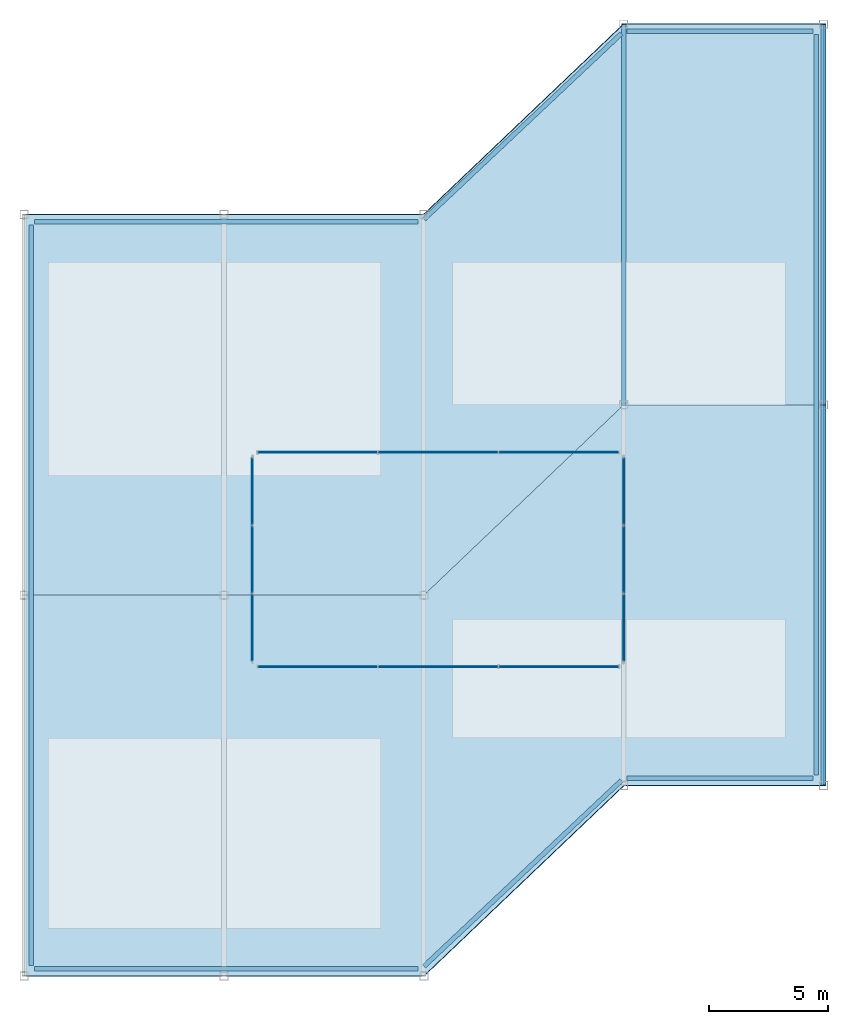
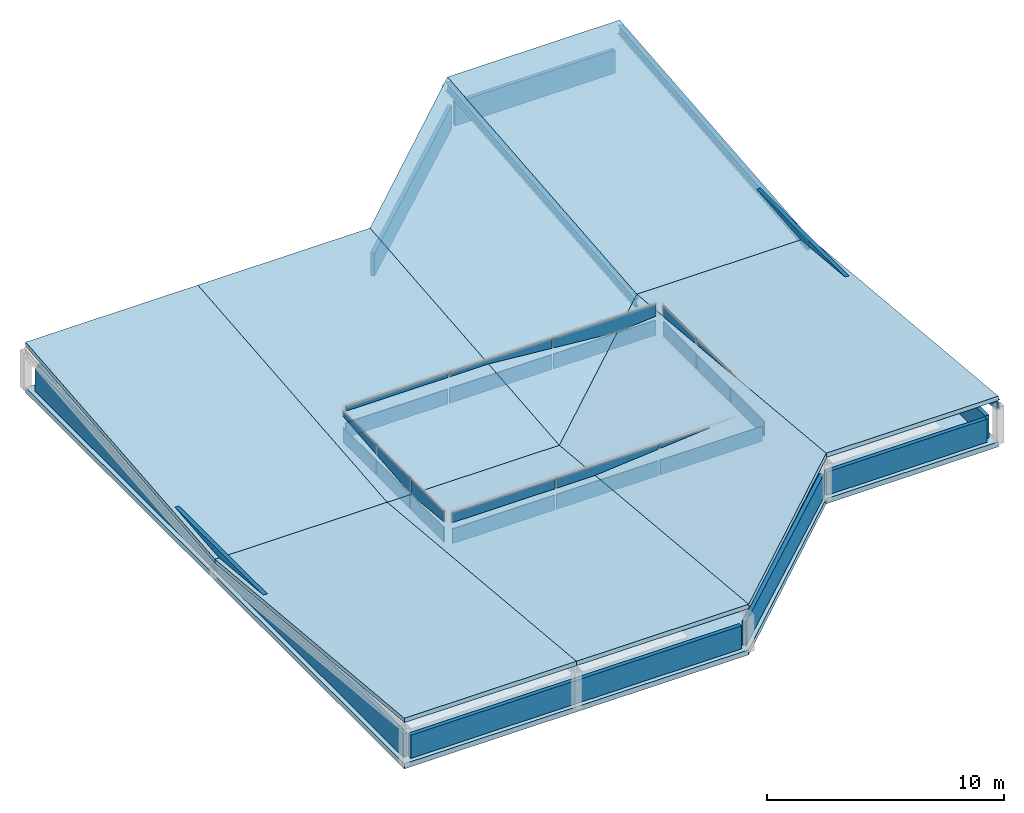
# One storey, part 4 of 5: 24 plates, 8 roofs, 8 walls, 3 members, 1 slab, 4 elements without a shape of their own.
"""IFC4 building model written with IfcOpenShell, lengths in metres."""

import ifcopenshell
import ifcopenshell.guid

model = None  # the IFC model being written
_history = None  # IfcOwnerHistory: only IFC2X3 demands one
_inside = {}  # id of a spatial element -> (the spatial element, [elements in it])
_under = {}  # id of a project, library or spatial element -> (it, [spatial elements below it])
_declared = {}  # id of a project -> (the project, [libraries it declares])
_typed = {}  # id of a type object -> (the type object, [elements of that type])
_made_of = {}  # id of a material, layer set ... -> (it, [elements and type objects made of it])


def new_model(schema):
    """Start an empty IFC model of exactly this schema.

    Asked for "IFC4X3", IfcOpenShell would pick the latest addendum, in which some entities
    have other attributes; the version numbers below select the first issue.
    IFC2X3 requires an IfcOwnerHistory on every rooted entity: one is made here for all.
    """
    global model, _history
    if schema == "IFC4X3":
        model = ifcopenshell.file(schema_version=(4, 3, 0, 0))
    else:
        model = ifcopenshell.file(schema=schema)
    _inside.clear()
    _under.clear()
    _declared.clear()
    _typed.clear()
    _made_of.clear()
    _history = None
    if model.schema == "IFC2X3":
        org = make("IfcOrganization", Name="unknown")
        user = make(
            "IfcPersonAndOrganization",
            ThePerson=make("IfcPerson", FamilyName="unknown"),
            TheOrganization=org,
        )
        app = make(
            "IfcApplication",
            ApplicationDeveloper=org,
            Version="unknown",
            ApplicationFullName="unknown",
            ApplicationIdentifier="unknown",
        )
        _history = make(
            "IfcOwnerHistory",
            OwningUser=user,
            OwningApplication=app,
            ChangeAction="ADDED",
            CreationDate=0,
        )
    return model


def make(cls, **values):
    """One entity of the class cls with the attributes given. An attribute that is None is left unset."""
    return model.create_entity(
        cls, **{name: value for name, value in values.items() if value is not None}
    )


def rooted(cls, **values):
    """An entity with a GlobalId (a new one), such as an element, a storey or a relation."""
    return make(cls, GlobalId=ifcopenshell.guid.new(), OwnerHistory=_history, **values)


def si_unit(unit_type, name, prefix=None):
    """IfcSIUnit, for example si_unit("LENGTHUNIT", "METRE", prefix="MILLI")."""
    return make("IfcSIUnit", UnitType=unit_type, Prefix=prefix, Name=name)


def assignment(units):
    """IfcUnitAssignment: the units of a project."""
    return None if units is None else make("IfcUnitAssignment", Units=units)


def point(xyz):
    """IfcCartesianPoint."""
    return None if xyz is None else make("IfcCartesianPoint", Coordinates=xyz)


def direction(xyz):
    """IfcDirection."""
    return None if xyz is None else make("IfcDirection", DirectionRatios=xyz)


def frame(location, z_axis=None, x_axis=None):
    """IfcAxis2Placement3D, a coordinate frame: its origin and axes. An axis left out is left unset."""
    return make(
        "IfcAxis2Placement3D",
        Location=point(location),
        Axis=direction(z_axis),
        RefDirection=direction(x_axis),
    )


def frame_2d(location, x_axis=None):
    """IfcAxis2Placement2D, a coordinate frame in the plane: its origin and x axis."""
    return make(
        "IfcAxis2Placement2D", Location=point(location), RefDirection=direction(x_axis)
    )


def origin():
    """The frame at (0, 0, 0) with its axes left unset."""
    return frame((0.0, 0.0, 0.0))


def origin_2d():
    """The frame at (0, 0) in the plane with its x axis left unset."""
    return frame_2d((0.0, 0.0))


def place(relative_to, where):
    """IfcLocalPlacement: puts the frame where relative to a parent placement (None: the world)."""
    return make(
        "IfcLocalPlacement", PlacementRelTo=relative_to, RelativePlacement=where
    )


def context(
    kind, dimensions, precision=None, world=None, true_north=None, identifier=None
):
    """IfcGeometricRepresentationContext, for example the 3D "Model" context."""
    return make(
        "IfcGeometricRepresentationContext",
        ContextIdentifier=identifier,
        ContextType=kind,
        CoordinateSpaceDimension=dimensions,
        Precision=precision,
        WorldCoordinateSystem=world,
        TrueNorth=true_north,
    )


def subcontext(parent, identifier, kind, view, scale=None):
    """IfcGeometricRepresentationSubContext, for example "Body" below "Model"."""
    return make(
        "IfcGeometricRepresentationSubContext",
        ContextIdentifier=identifier,
        ContextType=kind,
        ParentContext=parent,
        TargetScale=scale,
        TargetView=view,
    )


def project(units=None, contexts=None):
    """IfcProject with its units and contexts."""
    return rooted(
        "IfcProject",
        Name="project",
        RepresentationContexts=contexts,
        UnitsInContext=assignment(units),
    )


def spatial(cls, under=None, at=None, **own):
    """A site, building, storey or space (cls), placed at a placement, below another one or the project."""
    s = rooted(cls, ObjectPlacement=at, **own)
    if under is not None:
        _under.setdefault(under.id(), (under, []))[1].append(s)
    return s


def polyline(points):
    """IfcPolyline through the points."""
    return make("IfcPolyline", Points=[point(p) for p in points])


def profile(cls, at=None, kind="AREA", **sizes):
    """A parametric profile (cls). Its sizes go by their IFC names, for example OverallWidth=200.0."""
    return make(cls, ProfileType=kind, Position=at, **sizes)


def rectangle(**sizes):
    """IfcRectangleProfileDef."""
    return profile("IfcRectangleProfileDef", **sizes)


def i_section(**sizes):
    """IfcIShapeProfileDef."""
    return profile("IfcIShapeProfileDef", **sizes)


def outline(outer, holes=None, kind="AREA"):
    """IfcArbitraryClosedProfileDef: a profile drawn as a closed curve; with holes, ...WithVoids."""
    if holes is None:
        return make("IfcArbitraryClosedProfileDef", ProfileType=kind, OuterCurve=outer)
    return make(
        "IfcArbitraryProfileDefWithVoids",
        ProfileType=kind,
        OuterCurve=outer,
        InnerCurves=holes,
    )


def extrude(swept, where, along, depth):
    """IfcExtrudedAreaSolid: the profile swept, set in the frame where, extruded along a direction by depth."""
    return make(
        "IfcExtrudedAreaSolid",
        SweptArea=swept,
        Position=where,
        ExtrudedDirection=direction(along),
        Depth=depth,
    )


def shape(context_of_items, identifier, shape_type, items):
    """IfcShapeRepresentation: the items that make up one representation, for example the "Body"."""
    return make(
        "IfcShapeRepresentation",
        ContextOfItems=context_of_items,
        RepresentationIdentifier=identifier,
        RepresentationType=shape_type,
        Items=items,
    )


def material(Name=None, Category=None):
    """IfcMaterial."""
    return make("IfcMaterial", Name=Name, Category=Category)


def layer(
    of_material, thickness, ventilated=None, Name=None, Category=None, Priority=None
):
    """IfcMaterialLayer: one layer of a wall or slab, of a material (None: an air gap)."""
    return make(
        "IfcMaterialLayer",
        Material=of_material,
        LayerThickness=thickness,
        IsVentilated=ventilated,
        Name=Name,
        Category=Category,
        Priority=Priority,
    )


def layer_set(layers, Name=None):
    """IfcMaterialLayerSet."""
    return make("IfcMaterialLayerSet", MaterialLayers=layers, LayerSetName=Name)


def material_profile(
    of_material, cross_section, Name=None, Category=None, Priority=None
):
    """IfcMaterialProfile: a cross section and its material."""
    return make(
        "IfcMaterialProfile",
        Name=Name,
        Material=of_material,
        Profile=cross_section,
        Priority=Priority,
        Category=Category,
    )


def profile_set(profiles, Name=None, composite=None):
    """IfcMaterialProfileSet."""
    return make(
        "IfcMaterialProfileSet",
        Name=Name,
        MaterialProfiles=profiles,
        CompositeProfile=composite,
    )


def made_of(thing, what):
    """Note that an element or type object is made of a material, layer set ...; save() writes the relation."""
    if what is not None:
        _made_of.setdefault(what.id(), (what, []))[1].append(thing)
    return thing


def type_object(cls, material=None, **own):
    """A type object (cls), such as IfcWallType, which elements share."""
    return made_of(rooted(cls, **own), material)


def element(
    cls,
    number,
    at=None,
    inside=None,
    cuts=None,
    type_object=None,
    material=None,
    context=None,
    identifier="Body",
    shape_type=None,
    held_by="IfcProductDefinitionShape",
    body=None,
    shapes=None,
    **own,
):
    """One element of the class cls, such as IfcWall. Its Tag is "e" and its number.

    at: its placement. inside: the storey or other place that contains it. cuts: it is an
    opening in that element (IfcRelVoidsElement). A single representation is given by context,
    identifier, shape_type and body (its items); several are given by shapes. held_by: the class
    of the entity that holds the representations. save() writes the other relations.
    """
    e = rooted(cls, Tag="e%d" % number, ObjectPlacement=at, **own)
    if body is not None:
        shapes = [shape(context, identifier, shape_type, body)]
    if shapes is not None:
        e.Representation = make(held_by, Representations=shapes)
    if inside is not None:
        _inside.setdefault(inside.id(), (inside, []))[1].append(e)
    if cuts is not None:
        rooted(
            "IfcRelVoidsElement", RelatingBuildingElement=cuts, RelatedOpeningElement=e
        )
    if type_object is not None:
        _typed.setdefault(type_object.id(), (type_object, []))[1].append(e)
    return made_of(e, material)


def aggregate(whole, parts):
    """IfcRelAggregates: a whole, such as a stair, and the parts it consists of."""
    return rooted("IfcRelAggregates", RelatingObject=whole, RelatedObjects=parts)


def save(model, path):
    """Write the relations noted so far, then the file.

    IfcRelAggregates (storeys below a building ...), IfcRelContainedInSpatialStructure (elements
    in a storey), IfcRelDefinesByType, IfcRelAssociatesMaterial and IfcRelDeclares: one each for
    every whole, place, type object, material and project.
    """
    for whole, parts in _under.values():
        aggregate(whole, parts)
    for where, things in _inside.values():
        rooted(
            "IfcRelContainedInSpatialStructure",
            RelatedElements=things,
            RelatingStructure=where,
        )
    for kind, things in _typed.values():
        rooted("IfcRelDefinesByType", RelatedObjects=things, RelatingType=kind)
    for what, things in _made_of.values():
        rooted("IfcRelAssociatesMaterial", RelatedObjects=things, RelatingMaterial=what)
    for by, libraries in _declared.values():
        rooted("IfcRelDeclares", RelatingContext=by, RelatedDefinitions=libraries)
    model.write(path)


model = new_model("IFC4")

# Units and contexts
model_context = context("Model", 3, precision=1e-05, world=origin(), true_north=direction((0.0, 1.0)))
body_context = subcontext(model_context, "Body", "Model", "MODEL_VIEW")
ifc_project = project(units=[si_unit("LENGTHUNIT", "METRE"), si_unit("AREAUNIT", "SQUARE_METRE"), si_unit("VOLUMEUNIT", "CUBIC_METRE"), si_unit("PLANEANGLEUNIT", "RADIAN"), si_unit("MASSUNIT", "GRAM", prefix="KILO")], contexts=[model_context])

# Site, building, storey
site_placement = place(None, origin())
site = spatial("IfcSite", under=ifc_project, at=site_placement, CompositionType="ELEMENT")
building_placement = place(site_placement, origin())
building = spatial("IfcBuilding", under=site, at=building_placement, Name="Naruveol Harbour Congress Hotel", CompositionType="ELEMENT")
storey_placement = place(building_placement, frame((0.0, 0.0, 51.60009765625)))
storey = spatial("IfcBuildingStorey", under=building, at=storey_placement, Name="RF", CompositionType="ELEMENT", Elevation=51.60009765625)

# Members
ifc_material_1 = material(Name="Steel SN490", Category="steel")
ifc_material_profile = material_profile(ifc_material_1, i_section(OverallWidth=0.199951171875, OverallDepth=0.449951171875, WebThickness=0.009033203125, FlangeThickness=0.013916015625, at=origin_2d()), Name="H-450x200x9x14")
ifc_profile_set = profile_set([ifc_material_profile], Name="Steel SN490")
member_type = type_object("IfcMemberType", Name="STEEL BUTTERFLY CROWN RAFTER H450", PredefinedType="RAFTER", material=ifc_profile_set)
for number, where, z_axis, x_axis, name in (
    (1, (151.199951171875, 24.0, 0.39990234375), (0.0, 0.995634226059, 0.093340708693), (-1.0, 0.0, 0.0), "Butterfly crown north rafter S4"),
    (2, (159.60009765625, 24.0, 0.39990234375), (0.0, -0.995634226059, 0.093340708693), (1.0, 0.0, 0.0), "Butterfly crown south rafter S5"),
    (3, (159.60009765625, 24.0, 0.39990234375), (0.0, 0.995634226059, 0.093340708693), (-1.0, 0.0, 0.0), "Butterfly crown north rafter S5"),
):
    element("IfcMember", number, at=place(storey_placement, frame(where, z_axis=z_axis, x_axis=x_axis)), inside=storey, type_object=member_type, Name=name, PredefinedType="RAFTER", context=body_context, shape_type="SweptSolid", body=[
        extrude(i_section(OverallWidth=0.199951171875, OverallDepth=0.449951171875, WebThickness=0.009033203125, FlangeThickness=0.013916015625, at=origin_2d()), origin(), (0.0, 0.0, 1.0), 16.070068359375),
    ])

# Curtain wall, plates
ifc_material_2 = material(Name="Low-E Curtain Wall System", Category="glass")
ifc_layer_1 = layer(ifc_material_2, 0.179931640625)
ifc_layer_set_1 = layer_set([ifc_layer_1], Name="Low-E Curtain Wall System")
curtain_wall_type_1 = type_object("IfcCurtainWallType", Name="UNITISED CURTAIN WALL CW-RFP-58 15200X1750", PredefinedType="USERDEFINED", material=ifc_layer_set_1)
curtain_wall_1_placement = place(storey_placement, origin())
curtain_wall_1 = element("IfcCurtainWall", 4, at=curtain_wall_1_placement, inside=storey, type_object=curtain_wall_type_1, Name="Unitised curtain wall CW-RFP-58 RF", ObjectType="UNITISED GLAZING", PredefinedType="USERDEFINED")
ifc_material_3 = material(Name="Anodised Aluminium Spandrel", Category="aluminium")
ifc_layer_2 = layer(ifc_material_3, 0.054931640625)
ifc_layer_set_2 = layer_set([ifc_layer_2], Name="Anodised Aluminium Spandrel")
plate_type_1 = type_object("IfcPlateType", Name="INSULATED CERAMIC SPANDREL PANEL 55", PredefinedType="CURTAIN_PANEL", material=ifc_layer_set_2)
plate_1_placement = place(storey_placement, frame((148.466796875, 12.989990234375, 0.039794921875), z_axis=(0.0, 0.0, 1.0), x_axis=(-1.0, 0.0, 0.0)))
plate_1 = element("IfcPlate", 5, at=plate_1_placement, type_object=plate_type_1, Name="Curtain wall spandrel panel CW-RF-0155-PS0", PredefinedType="CURTAIN_PANEL", context=body_context, shape_type="SweptSolid", body=[
    extrude(rectangle(XDim=4.987060546875, YDim=0.054931640625, at=origin_2d()), origin(), (0.0, 0.0, 1.0), 0.77001953125),
])
plate_2_placement = place(storey_placement, frame((143.39990234375, 12.989990234375, 0.039794921875), z_axis=(0.0, 0.0, 1.0), x_axis=(-1.0, 0.0, 0.0)))
plate_2 = element("IfcPlate", 6, at=plate_2_placement, type_object=plate_type_1, Name="Curtain wall spandrel panel CW-RF-0155-PS1", PredefinedType="CURTAIN_PANEL", context=body_context, shape_type="SweptSolid", body=[
    extrude(rectangle(XDim=4.987060546875, YDim=0.054931640625, at=origin_2d()), origin(), (0.0, 0.0, 1.0), 0.77001953125),
])
plate_3_placement = place(storey_placement, frame((138.333251953125, 12.989990234375, 0.039794921875), z_axis=(0.0, 0.0, 1.0), x_axis=(-1.0, 0.0, 0.0)))
plate_3 = element("IfcPlate", 7, at=plate_3_placement, type_object=plate_type_1, Name="Curtain wall spandrel panel CW-RF-0155-PS2", PredefinedType="CURTAIN_PANEL", context=body_context, shape_type="SweptSolid", body=[
    extrude(rectangle(XDim=4.987060546875, YDim=0.054931640625, at=origin_2d()), origin(), (0.0, 0.0, 1.0), 0.77001953125),
])

ifc_material_4 = material(Name="Low-E Curtain Wall System", Category="glass")
ifc_layer_3 = layer(ifc_material_4, 0.179931640625)
ifc_layer_set_3 = layer_set([ifc_layer_3], Name="Low-E Curtain Wall System")
curtain_wall_type_2 = type_object("IfcCurtainWallType", Name="UNITISED CURTAIN WALL CW-RFP-59 8600X1750", PredefinedType="USERDEFINED", material=ifc_layer_set_3)
curtain_wall_2_placement = place(storey_placement, origin())
curtain_wall_2 = element("IfcCurtainWall", 8, at=curtain_wall_2_placement, inside=storey, type_object=curtain_wall_type_2, Name="Unitised curtain wall CW-RFP-59 RF", ObjectType="UNITISED GLAZING", PredefinedType="USERDEFINED")
plate_4_placement = place(storey_placement, frame((135.590087890625, 14.63330078125, 0.039794921875), z_axis=(0.0, 0.0, 1.0), x_axis=(0.0, 1.0, 0.0)))
plate_4 = element("IfcPlate", 9, at=plate_4_placement, type_object=plate_type_1, Name="Curtain wall spandrel panel CW-RF-0156-PS0", PredefinedType="CURTAIN_PANEL", context=body_context, shape_type="SweptSolid", body=[
    extrude(rectangle(XDim=2.787109375, YDim=0.054931640625, at=origin_2d()), origin(), (0.0, 0.0, 1.0), 0.77001953125),
])
plate_5_placement = place(storey_placement, frame((135.590087890625, 17.5, 0.039794921875), z_axis=(0.0, 0.0, 1.0), x_axis=(0.0, 1.0, 0.0)))
plate_5 = element("IfcPlate", 10, at=plate_5_placement, type_object=plate_type_1, Name="Curtain wall spandrel panel CW-RF-0156-PS1", PredefinedType="CURTAIN_PANEL", context=body_context, shape_type="SweptSolid", body=[
    extrude(rectangle(XDim=2.787109375, YDim=0.054931640625, at=origin_2d()), origin(), (0.0, 0.0, 1.0), 0.77001953125),
])
plate_6_placement = place(storey_placement, frame((135.590087890625, 20.36669921875, 0.039794921875), z_axis=(0.0, 0.0, 1.0), x_axis=(0.0, 1.0, 0.0)))
plate_6 = element("IfcPlate", 11, at=plate_6_placement, type_object=plate_type_1, Name="Curtain wall spandrel panel CW-RF-0156-PS2", PredefinedType="CURTAIN_PANEL", context=body_context, shape_type="SweptSolid", body=[
    extrude(rectangle(XDim=2.787109375, YDim=0.054931640625, at=origin_2d()), origin(), (0.0, 0.0, 1.0), 0.77001953125),
])

curtain_wall_3_placement = place(storey_placement, origin())
curtain_wall_3 = element("IfcCurtainWall", 12, at=curtain_wall_3_placement, inside=storey, type_object=curtain_wall_type_1, Name="Unitised curtain wall CW-RFP-58 RF", ObjectType="UNITISED GLAZING", PredefinedType="USERDEFINED")
plate_7_placement = place(storey_placement, frame((138.333251953125, 22.010009765625, 0.039794921875), z_axis=(0.0, 0.0, 1.0), x_axis=(1.0, 0.0, 0.0)))
plate_7 = element("IfcPlate", 13, at=plate_7_placement, type_object=plate_type_1, Name="Curtain wall spandrel panel CW-RF-0157-PS0", PredefinedType="CURTAIN_PANEL", context=body_context, shape_type="SweptSolid", body=[
    extrude(rectangle(XDim=4.987060546875, YDim=0.054931640625, at=origin_2d()), origin(), (0.0, 0.0, 1.0), 0.77001953125),
])
plate_8_placement = place(storey_placement, frame((143.39990234375, 22.010009765625, 0.039794921875), z_axis=(0.0, 0.0, 1.0), x_axis=(1.0, 0.0, 0.0)))
plate_8 = element("IfcPlate", 14, at=plate_8_placement, type_object=plate_type_1, Name="Curtain wall spandrel panel CW-RF-0157-PS1", PredefinedType="CURTAIN_PANEL", context=body_context, shape_type="SweptSolid", body=[
    extrude(rectangle(XDim=4.987060546875, YDim=0.054931640625, at=origin_2d()), origin(), (0.0, 0.0, 1.0), 0.77001953125),
])
plate_9_placement = place(storey_placement, frame((148.466796875, 22.010009765625, 0.039794921875), z_axis=(0.0, 0.0, 1.0), x_axis=(1.0, 0.0, 0.0)))
plate_9 = element("IfcPlate", 15, at=plate_9_placement, type_object=plate_type_1, Name="Curtain wall spandrel panel CW-RF-0157-PS2", PredefinedType="CURTAIN_PANEL", context=body_context, shape_type="SweptSolid", body=[
    extrude(rectangle(XDim=4.987060546875, YDim=0.054931640625, at=origin_2d()), origin(), (0.0, 0.0, 1.0), 0.77001953125),
])

curtain_wall_4_placement = place(storey_placement, origin())
curtain_wall_4 = element("IfcCurtainWall", 16, at=curtain_wall_4_placement, inside=storey, type_object=curtain_wall_type_2, Name="Unitised curtain wall CW-RFP-59 RF", ObjectType="UNITISED GLAZING", PredefinedType="USERDEFINED")
plate_10_placement = place(storey_placement, frame((151.2099609375, 20.36669921875, 0.039794921875), z_axis=(0.0, 0.0, 1.0), x_axis=(0.0, -1.0, 0.0)))
plate_10 = element("IfcPlate", 17, at=plate_10_placement, type_object=plate_type_1, Name="Curtain wall spandrel panel CW-RF-0158-PS0", PredefinedType="CURTAIN_PANEL", context=body_context, shape_type="SweptSolid", body=[
    extrude(rectangle(XDim=2.787109375, YDim=0.054931640625, at=origin_2d()), origin(), (0.0, 0.0, 1.0), 0.77001953125),
])
plate_11_placement = place(storey_placement, frame((151.2099609375, 17.5, 0.039794921875), z_axis=(0.0, 0.0, 1.0), x_axis=(0.0, -1.0, 0.0)))
plate_11 = element("IfcPlate", 18, at=plate_11_placement, type_object=plate_type_1, Name="Curtain wall spandrel panel CW-RF-0158-PS1", PredefinedType="CURTAIN_PANEL", context=body_context, shape_type="SweptSolid", body=[
    extrude(rectangle(XDim=2.787109375, YDim=0.054931640625, at=origin_2d()), origin(), (0.0, 0.0, 1.0), 0.77001953125),
])
plate_12_placement = place(storey_placement, frame((151.2099609375, 14.63330078125, 0.039794921875), z_axis=(0.0, 0.0, 1.0), x_axis=(0.0, -1.0, 0.0)))
plate_12 = element("IfcPlate", 19, at=plate_12_placement, type_object=plate_type_1, Name="Curtain wall spandrel panel CW-RF-0158-PS2", PredefinedType="CURTAIN_PANEL", context=body_context, shape_type="SweptSolid", body=[
    extrude(rectangle(XDim=2.787109375, YDim=0.054931640625, at=origin_2d()), origin(), (0.0, 0.0, 1.0), 0.77001953125),
])

# Plate
ifc_material_5 = material(Name="Low-E Insulated Glass", Category="glass")
ifc_layer_4 = layer(ifc_material_5, 0.0419921875)
ifc_layer_set_4 = layer_set([ifc_layer_4], Name="Low-E Insulated Glass")
plate_type_2 = type_object("IfcPlateType", Name="LOW-E TRIPLE GLAZED CURTAIN PANEL 42", PredefinedType="CURTAIN_PANEL", material=ifc_layer_set_4)
plate_13_placement = place(storey_placement, frame((148.466796875, 12.989990234375, 0.89013671875), z_axis=(0.0, 0.0, 1.0), x_axis=(-1.0, 0.0, 0.0)))
plate_13 = element("IfcPlate", 20, at=plate_13_placement, type_object=plate_type_2, Name="Curtain wall vision panel CW-RF-0155-PG0", PredefinedType="CURTAIN_PANEL", context=body_context, shape_type="SweptSolid", body=[
    extrude(rectangle(XDim=4.987060546875, YDim=0.0419921875, at=origin_2d()), origin(), (0.0, 0.0, 1.0), 0.739990234375),
])

plate_14_placement = place(storey_placement, frame((143.39990234375, 12.989990234375, 0.89013671875), z_axis=(0.0, 0.0, 1.0), x_axis=(-1.0, 0.0, 0.0)))
plate_14 = element("IfcPlate", 21, at=plate_14_placement, type_object=plate_type_2, Name="Curtain wall vision panel CW-RF-0155-PG1", PredefinedType="CURTAIN_PANEL", context=body_context, shape_type="SweptSolid", body=[
    extrude(rectangle(XDim=4.987060546875, YDim=0.0419921875, at=origin_2d()), origin(), (0.0, 0.0, 1.0), 0.739990234375),
])

plate_15_placement = place(storey_placement, frame((138.333251953125, 12.989990234375, 0.89013671875), z_axis=(0.0, 0.0, 1.0), x_axis=(-1.0, 0.0, 0.0)))
plate_15 = element("IfcPlate", 22, at=plate_15_placement, type_object=plate_type_2, Name="Curtain wall vision panel CW-RF-0155-PG2", PredefinedType="CURTAIN_PANEL", context=body_context, shape_type="SweptSolid", body=[
    extrude(rectangle(XDim=4.987060546875, YDim=0.0419921875, at=origin_2d()), origin(), (0.0, 0.0, 1.0), 0.739990234375),
])

aggregate(curtain_wall_1, [plate_1, plate_13, plate_2, plate_14, plate_3, plate_15])

plate_16_placement = place(storey_placement, frame((135.590087890625, 14.63330078125, 0.89013671875), z_axis=(0.0, 0.0, 1.0), x_axis=(0.0, 1.0, 0.0)))
plate_16 = element("IfcPlate", 23, at=plate_16_placement, type_object=plate_type_2, Name="Curtain wall vision panel CW-RF-0156-PG0", PredefinedType="CURTAIN_PANEL", context=body_context, shape_type="SweptSolid", body=[
    extrude(rectangle(XDim=2.787109375, YDim=0.0419921875, at=origin_2d()), origin(), (0.0, 0.0, 1.0), 0.739990234375),
])

plate_17_placement = place(storey_placement, frame((135.590087890625, 17.5, 0.89013671875), z_axis=(0.0, 0.0, 1.0), x_axis=(0.0, 1.0, 0.0)))
plate_17 = element("IfcPlate", 24, at=plate_17_placement, type_object=plate_type_2, Name="Curtain wall vision panel CW-RF-0156-PG1", PredefinedType="CURTAIN_PANEL", context=body_context, shape_type="SweptSolid", body=[
    extrude(rectangle(XDim=2.787109375, YDim=0.0419921875, at=origin_2d()), origin(), (0.0, 0.0, 1.0), 0.739990234375),
])

plate_18_placement = place(storey_placement, frame((135.590087890625, 20.36669921875, 0.89013671875), z_axis=(0.0, 0.0, 1.0), x_axis=(0.0, 1.0, 0.0)))
plate_18 = element("IfcPlate", 25, at=plate_18_placement, type_object=plate_type_2, Name="Curtain wall vision panel CW-RF-0156-PG2", PredefinedType="CURTAIN_PANEL", context=body_context, shape_type="SweptSolid", body=[
    extrude(rectangle(XDim=2.787109375, YDim=0.0419921875, at=origin_2d()), origin(), (0.0, 0.0, 1.0), 0.739990234375),
])

aggregate(curtain_wall_2, [plate_4, plate_16, plate_5, plate_17, plate_6, plate_18])

plate_19_placement = place(storey_placement, frame((138.333251953125, 22.010009765625, 0.89013671875), z_axis=(0.0, 0.0, 1.0), x_axis=(1.0, 0.0, 0.0)))
plate_19 = element("IfcPlate", 26, at=plate_19_placement, type_object=plate_type_2, Name="Curtain wall vision panel CW-RF-0157-PG0", PredefinedType="CURTAIN_PANEL", context=body_context, shape_type="SweptSolid", body=[
    extrude(rectangle(XDim=4.987060546875, YDim=0.0419921875, at=origin_2d()), origin(), (0.0, 0.0, 1.0), 0.739990234375),
])

plate_20_placement = place(storey_placement, frame((143.39990234375, 22.010009765625, 0.89013671875), z_axis=(0.0, 0.0, 1.0), x_axis=(1.0, 0.0, 0.0)))
plate_20 = element("IfcPlate", 27, at=plate_20_placement, type_object=plate_type_2, Name="Curtain wall vision panel CW-RF-0157-PG1", PredefinedType="CURTAIN_PANEL", context=body_context, shape_type="SweptSolid", body=[
    extrude(rectangle(XDim=4.987060546875, YDim=0.0419921875, at=origin_2d()), origin(), (0.0, 0.0, 1.0), 0.739990234375),
])

plate_21_placement = place(storey_placement, frame((148.466796875, 22.010009765625, 0.89013671875), z_axis=(0.0, 0.0, 1.0), x_axis=(1.0, 0.0, 0.0)))
plate_21 = element("IfcPlate", 28, at=plate_21_placement, type_object=plate_type_2, Name="Curtain wall vision panel CW-RF-0157-PG2", PredefinedType="CURTAIN_PANEL", context=body_context, shape_type="SweptSolid", body=[
    extrude(rectangle(XDim=4.987060546875, YDim=0.0419921875, at=origin_2d()), origin(), (0.0, 0.0, 1.0), 0.739990234375),
])

aggregate(curtain_wall_3, [plate_7, plate_19, plate_8, plate_20, plate_9, plate_21])

plate_22_placement = place(storey_placement, frame((151.2099609375, 20.36669921875, 0.89013671875), z_axis=(0.0, 0.0, 1.0), x_axis=(0.0, -1.0, 0.0)))
plate_22 = element("IfcPlate", 29, at=plate_22_placement, type_object=plate_type_2, Name="Curtain wall vision panel CW-RF-0158-PG0", PredefinedType="CURTAIN_PANEL", context=body_context, shape_type="SweptSolid", body=[
    extrude(rectangle(XDim=2.787109375, YDim=0.0419921875, at=origin_2d()), origin(), (0.0, 0.0, 1.0), 0.739990234375),
])

plate_23_placement = place(storey_placement, frame((151.2099609375, 17.5, 0.89013671875), z_axis=(0.0, 0.0, 1.0), x_axis=(0.0, -1.0, 0.0)))
plate_23 = element("IfcPlate", 30, at=plate_23_placement, type_object=plate_type_2, Name="Curtain wall vision panel CW-RF-0158-PG1", PredefinedType="CURTAIN_PANEL", context=body_context, shape_type="SweptSolid", body=[
    extrude(rectangle(XDim=2.787109375, YDim=0.0419921875, at=origin_2d()), origin(), (0.0, 0.0, 1.0), 0.739990234375),
])

plate_24_placement = place(storey_placement, frame((151.2099609375, 14.63330078125, 0.89013671875), z_axis=(0.0, 0.0, 1.0), x_axis=(0.0, -1.0, 0.0)))
plate_24 = element("IfcPlate", 31, at=plate_24_placement, type_object=plate_type_2, Name="Curtain wall vision panel CW-RF-0158-PG2", PredefinedType="CURTAIN_PANEL", context=body_context, shape_type="SweptSolid", body=[
    extrude(rectangle(XDim=2.787109375, YDim=0.0419921875, at=origin_2d()), origin(), (0.0, 0.0, 1.0), 0.739990234375),
])

aggregate(curtain_wall_4, [plate_10, plate_22, plate_11, plate_23, plate_12, plate_24])

# Slab
ifc_material_6 = material(Name="Concrete C40/50", Category="concrete")
ifc_layer_5 = layer(ifc_material_6, 0.260009765625)
ifc_layer_set_5 = layer_set([ifc_layer_5], Name="Concrete C40/50")
slab_type = type_object("IfcSlabType", Name="RC PLANTED ROOF GARDEN SLAB 260", PredefinedType="ROOF", material=ifc_layer_set_5)
slab_placement = place(storey_placement, frame((0.0, 0.0, -0.260009765625)))
element("IfcSlab", 32, at=slab_placement, inside=storey, type_object=slab_type, Name="Roof level RF Hotel structural crown deck", PredefinedType="ROOF", context=body_context, shape_type="SweptSolid", body=[
    extrude(outline(polyline([(126.0, 0.0), (134.39990234375, 0.0), (142.800048828125, 0.0), (151.199951171875, 8.0), (159.60009765625, 8.0), (159.60009765625, 40.0), (151.199951171875, 40.0), (142.800048828125, 32.0), (134.39990234375, 32.0), (126.0, 32.0), (126.0, 0.0)])), origin(), (0.0, 0.0, 1.0), 0.260009765625),
])

# Walls
ifc_material_7 = material(Name="Concrete C40/50", Category="concrete")
ifc_layer_6 = layer(ifc_material_7, 0.18994140625)
ifc_layer_set_6 = layer_set([ifc_layer_6], Name="Concrete C40/50")
wall_type = type_object("IfcWallType", Name="RC ROOF PARAPET UPSTAND WALL 190", PredefinedType="PARAPET", material=ifc_layer_set_6)
wall_1_placement = place(storey_placement, frame((126.43994140625, 0.300048828125, 0.0), z_axis=(0.0, 0.0, 1.0), x_axis=(1.0, 0.0, 0.0)))
element("IfcWall", 33, at=wall_1_placement, inside=storey, type_object=wall_type, Name="Roof parapet upstand PW-190", PredefinedType="PARAPET", context=body_context, shape_type="SweptSolid", body=[
    extrude(rectangle(XDim=16.1201171875, YDim=0.18994140625, at=frame_2d((8.06005859375, 0.0))), origin(), (0.0, 0.0, 1.0), 1.199951171875),
])
wall_2_placement = place(storey_placement, frame((142.802001953125, 0.39599609375, 0.0), z_axis=(0.0, 0.0, 1.0), x_axis=(0.728191184709, 0.685374057368, 0.0)))
element("IfcWall", 34, at=wall_2_placement, inside=storey, type_object=wall_type, Name="Roof parapet upstand PW-190", PredefinedType="PARAPET", context=body_context, shape_type="SweptSolid", body=[
    extrude(rectangle(XDim=11.392578125, YDim=0.18994140625, at=frame_2d((5.6962890625, 0.0))), origin(), (0.0, 0.0, 1.0), 1.199951171875),
])
wall_3_placement = place(storey_placement, frame((151.340087890625, 8.300048828125, 0.0), z_axis=(0.0, 0.0, 1.0), x_axis=(1.0, 0.0, 0.0)))
element("IfcWall", 35, at=wall_3_placement, inside=storey, type_object=wall_type, Name="Roof parapet upstand PW-190", PredefinedType="PARAPET", context=body_context, shape_type="SweptSolid", body=[
    extrude(rectangle(XDim=7.81982421875, YDim=0.18994140625, at=frame_2d((3.909912109375, 0.0))), origin(), (0.0, 0.0, 1.0), 1.199951171875),
])
wall_4_placement = place(storey_placement, frame((159.300048828125, 8.43994140625, 0.0), z_axis=(0.0, 0.0, 1.0), x_axis=(0.0, 1.0, 0.0)))
element("IfcWall", 36, at=wall_4_placement, inside=storey, type_object=wall_type, Name="Roof parapet upstand PW-190", PredefinedType="PARAPET", context=body_context, shape_type="SweptSolid", body=[
    extrude(rectangle(XDim=31.1201171875, YDim=0.18994140625, at=frame_2d((15.56005859375, 0.0))), origin(), (0.0, 0.0, 1.0), 1.199951171875),
])
wall_5_placement = place(storey_placement, frame((159.159912109375, 39.699951171875, 0.0), z_axis=(0.0, 0.0, 1.0), x_axis=(-1.0, 0.0, 0.0)))
element("IfcWall", 37, at=wall_5_placement, inside=storey, type_object=wall_type, Name="Roof parapet upstand PW-190", PredefinedType="PARAPET", context=body_context, shape_type="SweptSolid", body=[
    extrude(rectangle(XDim=7.81982421875, YDim=0.18994140625, at=frame_2d((3.909912109375, 0.0))), origin(), (0.0, 0.0, 1.0), 1.199951171875),
])
wall_6_placement = place(storey_placement, frame((151.097900390625, 39.60400390625, 0.0), z_axis=(0.0, 0.0, 1.0), x_axis=(-0.728191184709, -0.685374057368, 0.0)))
element("IfcWall", 38, at=wall_6_placement, inside=storey, type_object=wall_type, Name="Roof parapet upstand PW-190", PredefinedType="PARAPET", context=body_context, shape_type="SweptSolid", body=[
    extrude(rectangle(XDim=11.392578125, YDim=0.18994140625, at=frame_2d((5.6962890625, 0.0))), origin(), (0.0, 0.0, 1.0), 1.199951171875),
])
wall_7_placement = place(storey_placement, frame((142.56005859375, 31.699951171875, 0.0), z_axis=(0.0, 0.0, 1.0), x_axis=(-1.0, 0.0, 0.0)))
element("IfcWall", 39, at=wall_7_placement, inside=storey, type_object=wall_type, Name="Roof parapet upstand PW-190", PredefinedType="PARAPET", context=body_context, shape_type="SweptSolid", body=[
    extrude(rectangle(XDim=16.1201171875, YDim=0.18994140625, at=frame_2d((8.06005859375, 0.0))), origin(), (0.0, 0.0, 1.0), 1.199951171875),
])
wall_8_placement = place(storey_placement, frame((126.300048828125, 31.56005859375, 0.0), z_axis=(0.0, 0.0, 1.0), x_axis=(0.0, -1.0, 0.0)))
element("IfcWall", 40, at=wall_8_placement, inside=storey, type_object=wall_type, Name="Roof parapet upstand PW-190", PredefinedType="PARAPET", context=body_context, shape_type="SweptSolid", body=[
    extrude(rectangle(XDim=31.1201171875, YDim=0.18994140625, at=frame_2d((15.56005859375, 0.0))), origin(), (0.0, 0.0, 1.0), 1.199951171875),
])

# Roofs
ifc_material_8 = material(Name="Concrete C40/50", Category="concrete")
ifc_layer_7 = layer(ifc_material_8, 0.2099609375)
ifc_layer_set_7 = layer_set([ifc_layer_7], Name="Concrete C40/50")
roof_type = type_object("IfcRoofType", Name="UPTURNED HOTEL CROWN BUTTERFLY ROOF 210", PredefinedType="BUTTERFLY_ROOF", material=ifc_layer_set_7)
for number, where, z_axis, x_axis, name in (
    (41, (126.0, 0.0, 2.349853515625), (0.0, 0.093340708693, 0.995634226059), (1.0, 0.0, 0.0), "Hotel crown butterfly south wing 1"),
    (42, (126.0, 16.0, 0.849853515625), (0.0, -0.093340708693, 0.995634226059), (1.0, 0.0, 0.0), "Hotel crown butterfly north wing 1"),
):
    element("IfcRoof", number, at=place(storey_placement, frame(where, z_axis=z_axis, x_axis=x_axis)), inside=storey, type_object=roof_type, Name=name, PredefinedType="BUTTERFLY_ROOF", context=body_context, shape_type="SweptSolid", body=[
        extrude(outline(polyline([(0.0, 0.0), (8.39990234375, 0.0), (8.39990234375, 16.070158679988197), (0.0, 16.070158679988197), (0.0, 0.0)])), origin(), (0.0, 0.0, -1.0), 0.2099609375),
    ])
for number, where, z_axis, x_axis, name in (
    (43, (134.39990234375, 0.0, 2.349853515625), (0.0, 0.093340708693, 0.995634226059), (1.0, 0.0, 0.0), "Hotel crown butterfly south wing 2"),
    (44, (134.39990234375, 16.0, 0.849853515625), (0.0, -0.093340708693, 0.995634226059), (1.0, 0.0, 0.0), "Hotel crown butterfly north wing 2"),
):
    element("IfcRoof", number, at=place(storey_placement, frame(where, z_axis=z_axis, x_axis=x_axis)), inside=storey, type_object=roof_type, Name=name, PredefinedType="BUTTERFLY_ROOF", context=body_context, shape_type="SweptSolid", body=[
        extrude(outline(polyline([(0.0, 0.0), (8.400146484375, 0.0), (8.400146484375, 16.070158679988197), (0.0, 16.070158679988197), (0.0, 0.0)])), origin(), (0.0, 0.0, -1.0), 0.2099609375),
    ])
for number, where, z_axis, x_axis, name in (
    (45, (142.800048828125, 0.0, 2.349853515625), (-0.088547753357, 0.09297406012, 0.991723307944), (0.724133926887, 0.689659376744, 0.0), "Hotel crown butterfly south wing 3"),
    (46, (142.800048828125, 16.0, 0.849853515625), (0.088547753357, -0.09297406012, 0.991723307944), (0.724133926887, 0.689659376744, 0.0), "Hotel crown butterfly north wing 3"),
):
    element("IfcRoof", number, at=place(storey_placement, frame(where, z_axis=z_axis, x_axis=x_axis)), inside=storey, type_object=roof_type, Name=name, PredefinedType="BUTTERFLY_ROOF", context=body_context, shape_type="SweptSolid", body=[
        extrude(outline(polyline([(0.0, 0.0), (11.599929283600687, 0.0), (22.634479311501202, 11.682838083349464), (11.034550027900519, 11.682838083349466), (0.0, 0.0)])), origin(), (0.0, 0.0, -1.0), 0.2099609375),
    ])
for number, where, z_axis, x_axis, name in (
    (47, (151.199951171875, 8.0, 2.349853515625), (0.0, 0.093340708693, 0.995634226059), (1.0, 0.0, 0.0), "Hotel crown butterfly south wing 4"),
    (48, (151.199951171875, 24.0, 0.849853515625), (0.0, -0.093340708693, 0.995634226059), (1.0, 0.0, 0.0), "Hotel crown butterfly north wing 4"),
):
    element("IfcRoof", number, at=place(storey_placement, frame(where, z_axis=z_axis, x_axis=x_axis)), inside=storey, type_object=roof_type, Name=name, PredefinedType="BUTTERFLY_ROOF", context=body_context, shape_type="SweptSolid", body=[
        extrude(outline(polyline([(0.0, 0.0), (8.400146484375, 0.0), (8.400146484375, 16.070158679988197), (0.0, 16.070158679988197), (0.0, 0.0)])), origin(), (0.0, 0.0, -1.0), 0.2099609375),
    ])

save(model, "model.ifc")
